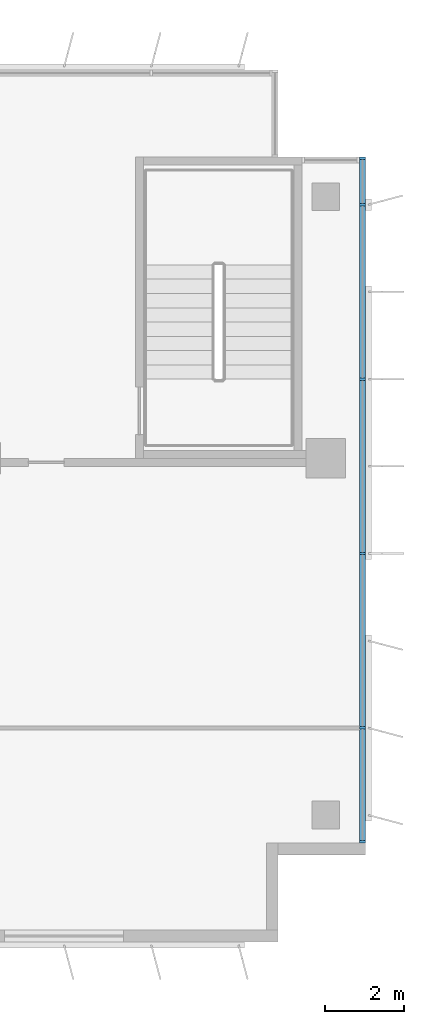
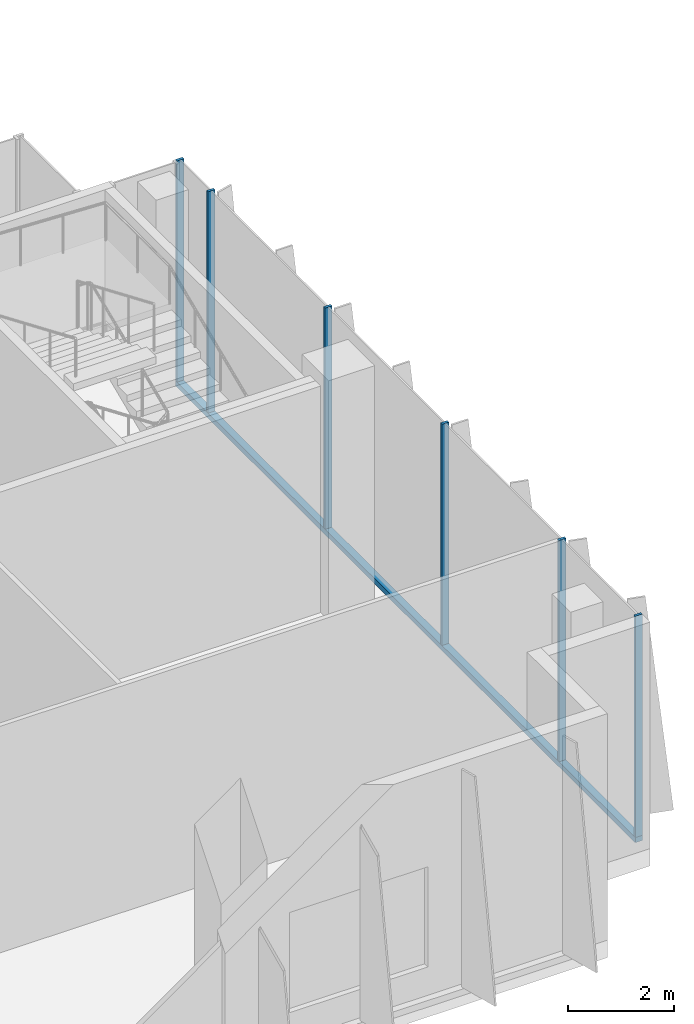
# One storey, part 7 of 24: 7 members, 1 element without a shape of its own.
"""IFC4 building model written with IfcOpenShell, lengths in metres."""

from ifc_helpers import new_model, si_unit, direction, frame, origin, origin_2d, place, context, subcontext, project, spatial, rectangle, extrude, source, transform, mapped, material, material_profile, profile_set, type_object, element, aggregate, save


model = new_model("IFC4")

# Units and contexts
model_context = context("Model", 3, precision=1e-05, world=origin(), true_north=direction((0.0, 1.0)))
body_context = subcontext(model_context, "Body", "Model", "MODEL_VIEW")
ifc_project = project(units=[si_unit("LENGTHUNIT", "METRE"), si_unit("AREAUNIT", "SQUARE_METRE"), si_unit("VOLUMEUNIT", "CUBIC_METRE"), si_unit("PLANEANGLEUNIT", "RADIAN"), si_unit("MASSUNIT", "GRAM", prefix="KILO")], contexts=[model_context])

# Site, building, storey
site_placement = place(None, origin())
site = spatial("IfcSite", under=ifc_project, at=site_placement, CompositionType="ELEMENT")
building_placement = place(site_placement, origin())
building = spatial("IfcBuilding", under=site, at=building_placement, Name="Kemantara Hotel Tower", CompositionType="ELEMENT")
storey_placement = place(building_placement, frame((0.0, 0.0, 202.5)))
storey = spatial("IfcBuildingStorey", under=building, at=storey_placement, Name="L50", CompositionType="ELEMENT", Elevation=202.5)

# Curtain wall, members
ifc_material_1 = material(Name="Low-E tinted double insulated glass 36 mm", Category="glass")
curtain_wall_type = type_object("IfcCurtainWallType", Name="TOWER CURTAIN WALL, FRONT FACES", PredefinedType="USERDEFINED", material=ifc_material_1)
curtain_wall_placement = place(storey_placement, origin())
curtain_wall = element("IfcCurtainWall", 1, at=curtain_wall_placement, inside=storey, type_object=curtain_wall_type, Name="CW4 L50 T3S-R12-1", ObjectType="TOWER CURTAIN WALL, FRONT FACES", PredefinedType="USERDEFINED")
ifc_material_2 = material(Name="Aluminium 6063-T6 bronze anodised", Category="aluminium")
ifc_material_profile_1 = material_profile(ifc_material_2, rectangle(XDim=0.14990234375, YDim=0.1201171875, at=origin_2d()), Name="TOWER CURTAIN WALL, FRONT FACES TRANSOM")
ifc_profile_set_1 = profile_set([ifc_material_profile_1], Name="Aluminium 6063-T6 bronze anodised")
member_type_1 = type_object("IfcMemberType", Name="TOWER CURTAIN WALL, FRONT FACES TRANSOM", PredefinedType="USERDEFINED", material=ifc_profile_set_1)
member_1_placement = place(storey_placement, frame((63.52490234375, 2.5, 0.06005859375), z_axis=(0.0, 1.0, 0.0), x_axis=(-1.0, 0.0, 0.0)))
member_1 = element("IfcMember", 2, at=member_1_placement, type_object=member_type_1, Name="CW4 sill transom T3S-R12-1", ObjectType="TRANSOM", PredefinedType="USERDEFINED", context=body_context, shape_type="SweptSolid", body=[
    extrude(rectangle(XDim=0.14990234375, YDim=0.1201171875, at=origin_2d()), origin(), (0.0, 0.0, 1.0), 17.300048828125),
])
ifc_material_profile_2 = material_profile(ifc_material_2, rectangle(XDim=0.14990234375, YDim=0.06005859375, at=origin_2d()), Name="TOWER CURTAIN WALL, FRONT FACES MULLION")
ifc_profile_set_2 = profile_set([ifc_material_profile_2], Name="Aluminium 6063-T6 bronze anodised")
member_type_2 = type_object("IfcMemberType", Name="TOWER CURTAIN WALL, FRONT FACES MULLION", PredefinedType="MULLION", material=ifc_profile_set_2)
shared_shape = source(origin(), body_context, "Body", "SweptSolid", [
    extrude(rectangle(XDim=0.14990234375, YDim=0.06005859375, at=origin_2d()), origin(), (0.0, 0.0, 1.0), 5.079833984375),
])
member_2_placement = place(storey_placement, frame((63.52490234375, 2.530029296875, 0.1201171875), z_axis=(0.0, 0.0, 1.0), x_axis=(-1.0, 0.0, 0.0)))
member_2 = element("IfcMember", 3, at=member_2_placement, type_object=member_type_2, Name="CW4 mullion T3S-R12-1.1", PredefinedType="MULLION", context=body_context, shape_type="MappedRepresentation", body=[
    mapped(shared_shape, transform((0.0, 0.0, 0.0))),
])
member_3_placement = place(storey_placement, frame((63.52490234375, 5.39990234375, 0.1201171875), z_axis=(0.0, 0.0, 1.0), x_axis=(-1.0, 0.0, 0.0)))
member_3 = element("IfcMember", 4, at=member_3_placement, type_object=member_type_2, Name="CW4 mullion T3S-R12-1.2", PredefinedType="MULLION", context=body_context, shape_type="MappedRepresentation", body=[
    mapped(shared_shape, transform((0.0, 0.0, 0.0))),
])
member_4_placement = place(storey_placement, frame((63.52490234375, 9.800048828125, 0.1201171875), z_axis=(0.0, 0.0, 1.0), x_axis=(-1.0, 0.0, 0.0)))
member_4 = element("IfcMember", 5, at=member_4_placement, type_object=member_type_2, Name="CW4 mullion T3S-R12-1.3", PredefinedType="MULLION", context=body_context, shape_type="MappedRepresentation", body=[
    mapped(shared_shape, transform((0.0, 0.0, 0.0))),
])
member_5_placement = place(storey_placement, frame((63.52490234375, 14.199951171875, 0.1201171875), z_axis=(0.0, 0.0, 1.0), x_axis=(-1.0, 0.0, 0.0)))
member_5 = element("IfcMember", 6, at=member_5_placement, type_object=member_type_2, Name="CW4 mullion T3S-R12-1.4", PredefinedType="MULLION", context=body_context, shape_type="MappedRepresentation", body=[
    mapped(shared_shape, transform((0.0, 0.0, 0.0))),
])
member_6_placement = place(storey_placement, frame((63.52490234375, 18.60009765625, 0.1201171875), z_axis=(0.0, 0.0, 1.0), x_axis=(-1.0, 0.0, 0.0)))
member_6 = element("IfcMember", 7, at=member_6_placement, type_object=member_type_2, Name="CW4 mullion T3S-R12-1.5", PredefinedType="MULLION", context=body_context, shape_type="MappedRepresentation", body=[
    mapped(shared_shape, transform((0.0, 0.0, 0.0))),
])
member_7_placement = place(storey_placement, frame((63.52490234375, 19.77001953125, 0.1201171875), z_axis=(0.0, 0.0, 1.0), x_axis=(-1.0, 0.0, 0.0)))
member_7 = element("IfcMember", 8, at=member_7_placement, type_object=member_type_2, Name="CW4 mullion T3S-R12-1.6", PredefinedType="MULLION", context=body_context, shape_type="MappedRepresentation", body=[
    mapped(shared_shape, transform((0.0, 0.0, 0.0))),
])
aggregate(curtain_wall, [member_1, member_2, member_3, member_4, member_5, member_6, member_7])

save(model, "model.ifc")
